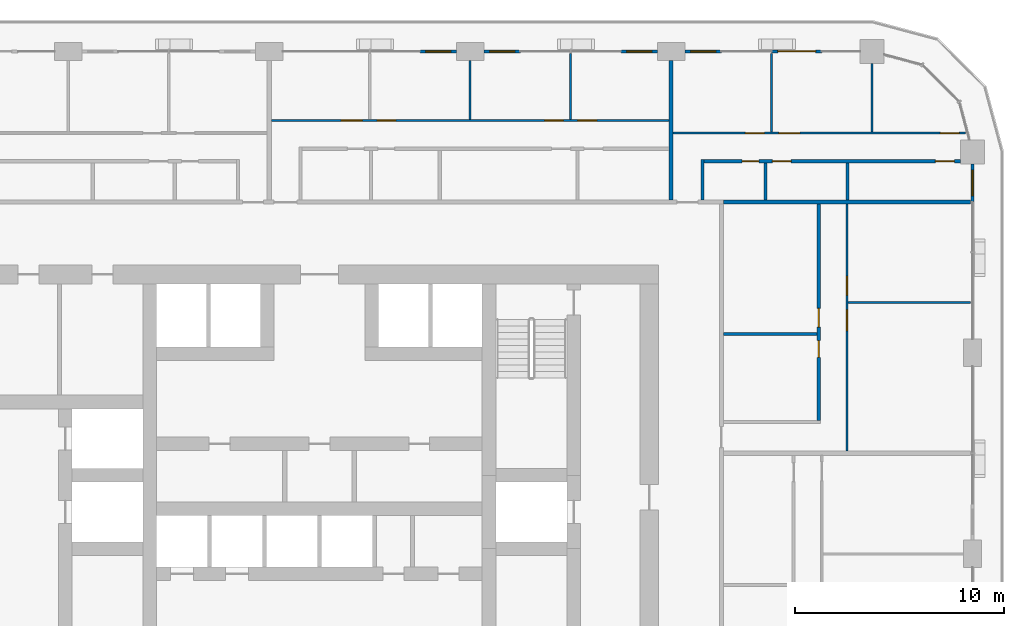
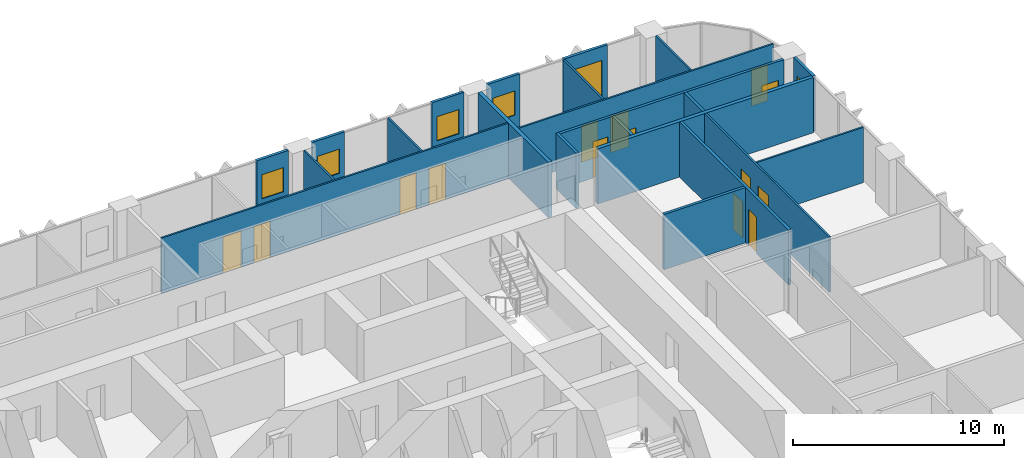
# One storey, part 15 of 22: 22 walls, 15 doors, 5 windows, 20 openings.
"""IFC4 building model written with IfcOpenShell, lengths in metres."""

from ifc_helpers import new_model, si_unit, direction, frame, frame_2d, origin, place, context, subcontext, project, spatial, rectangle, extrude, material, layer, layer_set, type_object, element, fill, save


model = new_model("IFC4")

# Units and contexts
model_context = context("Model", 3, precision=1e-05, world=origin(), true_north=direction((0.0, 1.0)))
body_context = subcontext(model_context, "Body", "Model", "MODEL_VIEW")
ifc_project = project(units=[si_unit("LENGTHUNIT", "METRE"), si_unit("AREAUNIT", "SQUARE_METRE"), si_unit("VOLUMEUNIT", "CUBIC_METRE"), si_unit("PLANEANGLEUNIT", "RADIAN"), si_unit("MASSUNIT", "GRAM", prefix="KILO")], contexts=[model_context])

# Site, building, storey
site_placement = place(None, origin())
site = spatial("IfcSite", under=ifc_project, at=site_placement, CompositionType="ELEMENT")
building_placement = place(site_placement, origin())
building = spatial("IfcBuilding", under=site, at=building_placement, Name="Madar Terraces", CompositionType="ELEMENT")
storey_placement = place(building_placement, frame((0.0, 0.0, 66.300048828125)))
storey = spatial("IfcBuildingStorey", under=building, at=storey_placement, Name="L16", CompositionType="ELEMENT", Elevation=66.300048828125)

# Wall, opening, window
ifc_material_1 = material(Name="Aluminium composite panel, black, over insulated backing", Category="aluminium")
ifc_layer_1 = layer(ifc_material_1, 0.14990234375)
ifc_layer_set_1 = layer_set([ifc_layer_1], Name="Facade bay panel 150")
wall_type_1 = type_object("IfcWallType", Name="Facade bay panel 150", PredefinedType="SOLIDWALL", material=ifc_layer_set_1)
wall_1_placement = place(storey_placement, frame((62.39990234375, 40.800048828125, 0.0), z_axis=(0.0, 0.0, 1.0), x_axis=(0.0, 1.0, 0.0)))
wall_1 = element("IfcWall", 1, at=wall_1_placement, inside=storey, type_object=wall_type_1, Name="Facade bay panel", PredefinedType="SOLIDWALL", context=body_context, shape_type="SweptSolid", body=[
    extrude(rectangle(XDim=1.824951171875, YDim=0.14990234375, at=frame_2d((0.91259765625, 0.0))), origin(), (0.0, 0.0, 1.0), 3.199951171875),
])
opening_1_placement = place(wall_1_placement, frame((0.3125, 0.0, 0.89990234375)))
opening_1 = element("IfcOpeningElement", 2, at=opening_1_placement, cuts=wall_1, Name="Opening W1", PredefinedType="OPENING", context=body_context, shape_type="SweptSolid", body=[
    extrude(rectangle(XDim=1.199951171875, YDim=1.39990234375, at=frame_2d((0.60009765625, 0.699951171875))), frame((0.0, 0.0849609375, 0.0), z_axis=(0.0, -1.0, 0.0), x_axis=(1.0, 0.0, 0.0)), (0.0, 0.0, 1.0), 0.169921875),
])
ifc_material_2 = material(Name="Glass, clear, with black aluminium frame", Category="aluminium")
window_type = type_object("IfcWindowType", Name="Vent window 1200 x 1400", PartitioningType="SINGLE_PANEL", PredefinedType="WINDOW", material=ifc_material_2)
window_1_placement = place(opening_1_placement, origin())
window_1 = element("IfcWindow", 3, at=window_1_placement, inside=storey, type_object=window_type, Name="Operable vent window", OverallHeight=1.39990234375, OverallWidth=1.199951171875, PartitioningType="SINGLE_PANEL", PredefinedType="WINDOW", context=body_context, shape_type="SweptSolid", body=[
    extrude(rectangle(XDim=1.199951171875, YDim=1.39990234375, at=frame_2d((0.60009765625, 0.699951171875))), frame((0.0, 0.030029296875, 0.0), z_axis=(0.0, -1.0, 0.0), x_axis=(1.0, 0.0, 0.0)), (0.0, 0.0, 1.0), 0.06005859375),
])
fill(opening_1, window_1)

# Wall, opening, door
wall_2_placement = place(storey_placement, frame((55.199951171875, 48.0, 0.0), z_axis=(0.0, 0.0, 1.0), x_axis=(-1.0, 0.0, 0.0)))
wall_2 = element("IfcWall", 4, at=wall_2_placement, inside=storey, type_object=wall_type_1, Name="Facade bay panel", PredefinedType="SOLIDWALL", context=body_context, shape_type="SweptSolid", body=[
    extrude(rectangle(XDim=2.39990234375, YDim=0.14990234375, at=frame_2d((1.199951171875, 0.0))), origin(), (0.0, 0.0, 1.0), 3.199951171875),
])
opening_2_placement = place(wall_2_placement, frame((0.300048828125, 0.0, 0.0)))
opening_2 = element("IfcOpeningElement", 5, at=opening_2_placement, cuts=wall_2, Name="Opening ED1", PredefinedType="OPENING", context=body_context, shape_type="SweptSolid", body=[
    extrude(rectangle(XDim=1.800048828125, YDim=2.39990234375, at=frame_2d((0.89990234375, 1.199951171875))), frame((0.0, 0.0849609375, 0.0), z_axis=(0.0, -1.0, 0.0), x_axis=(1.0, 0.0, 0.0)), (0.0, 0.0, 1.0), 0.169921875),
])
ifc_material_3 = material(Name="Glass, clear, with black aluminium frame", Category="aluminium")
door_type_1 = type_object("IfcDoorType", Name="Balcony and terrace sliding door 1800 x 2400", OperationType="SLIDING_TO_LEFT", PredefinedType="DOOR", material=ifc_material_3)
door_1_placement = place(opening_2_placement, origin())
door_1 = element("IfcDoor", 6, at=door_1_placement, inside=storey, type_object=door_type_1, Name="Balcony door", OperationType="SLIDING_TO_RIGHT", OverallHeight=2.39990234375, OverallWidth=1.800048828125, PredefinedType="DOOR", context=body_context, shape_type="SweptSolid", body=[
    extrude(rectangle(XDim=1.800048828125, YDim=2.39990234375, at=frame_2d((0.89990234375, 1.199951171875))), frame((0.0, 0.02490234375, 0.0), z_axis=(0.0, -1.0, 0.0), x_axis=(1.0, 0.0, 0.0)), (0.0, 0.0, 1.0), 0.050048828125),
])
fill(opening_2, door_1)

# Wall, opening, window
wall_3_placement = place(storey_placement, frame((50.39990234375, 48.0, 0.0), z_axis=(0.0, 0.0, 1.0), x_axis=(-1.0, 0.0, 0.0)))
wall_3 = element("IfcWall", 7, at=wall_3_placement, inside=storey, type_object=wall_type_1, Name="Facade bay panel", PredefinedType="SOLIDWALL", context=body_context, shape_type="SweptSolid", body=[
    extrude(rectangle(XDim=1.75, YDim=0.14990234375, at=frame_2d((0.875, 0.0))), origin(), (0.0, 0.0, 1.0), 3.199951171875),
])
opening_3_placement = place(wall_3_placement, frame((0.27490234375, 0.0, 0.89990234375)))
opening_3 = element("IfcOpeningElement", 8, at=opening_3_placement, cuts=wall_3, Name="Opening W1", PredefinedType="OPENING", context=body_context, shape_type="SweptSolid", body=[
    extrude(rectangle(XDim=1.199951171875, YDim=1.39990234375, at=frame_2d((0.60009765625, 0.699951171875))), frame((0.0, 0.0849609375, 0.0), z_axis=(0.0, -1.0, 0.0), x_axis=(1.0, 0.0, 0.0)), (0.0, 0.0, 1.0), 0.169921875),
])
window_2_placement = place(opening_3_placement, origin())
window_2 = element("IfcWindow", 9, at=window_2_placement, inside=storey, type_object=window_type, Name="Operable vent window", OverallHeight=1.39990234375, OverallWidth=1.199951171875, PartitioningType="SINGLE_PANEL", PredefinedType="WINDOW", context=body_context, shape_type="SweptSolid", body=[
    extrude(rectangle(XDim=1.199951171875, YDim=1.39990234375, at=frame_2d((0.60009765625, 0.699951171875))), frame((0.0, 0.030029296875, 0.0), z_axis=(0.0, -1.0, 0.0), x_axis=(1.0, 0.0, 0.0)), (0.0, 0.0, 1.0), 0.06005859375),
])
fill(opening_3, window_2)

wall_4_placement = place(storey_placement, frame((47.35009765625, 48.0, 0.0), z_axis=(0.0, 0.0, 1.0), x_axis=(-1.0, 0.0, 0.0)))
wall_4 = element("IfcWall", 10, at=wall_4_placement, inside=storey, type_object=wall_type_1, Name="Facade bay panel", PredefinedType="SOLIDWALL", context=body_context, shape_type="SweptSolid", body=[
    extrude(rectangle(XDim=1.75, YDim=0.14990234375, at=frame_2d((0.875, 0.0))), origin(), (0.0, 0.0, 1.0), 3.199951171875),
])
opening_4_placement = place(wall_4_placement, frame((0.27490234375, 0.0, 0.89990234375)))
opening_4 = element("IfcOpeningElement", 11, at=opening_4_placement, cuts=wall_4, Name="Opening W1", PredefinedType="OPENING", context=body_context, shape_type="SweptSolid", body=[
    extrude(rectangle(XDim=1.199951171875, YDim=1.39990234375, at=frame_2d((0.60009765625, 0.699951171875))), frame((0.0, 0.0849609375, 0.0), z_axis=(0.0, -1.0, 0.0), x_axis=(1.0, 0.0, 0.0)), (0.0, 0.0, 1.0), 0.169921875),
])
window_3_placement = place(opening_4_placement, origin())
window_3 = element("IfcWindow", 12, at=window_3_placement, inside=storey, type_object=window_type, Name="Operable vent window", OverallHeight=1.39990234375, OverallWidth=1.199951171875, PartitioningType="SINGLE_PANEL", PredefinedType="WINDOW", context=body_context, shape_type="SweptSolid", body=[
    extrude(rectangle(XDim=1.199951171875, YDim=1.39990234375, at=frame_2d((0.60009765625, 0.699951171875))), frame((0.0, 0.030029296875, 0.0), z_axis=(0.0, -1.0, 0.0), x_axis=(1.0, 0.0, 0.0)), (0.0, 0.0, 1.0), 0.06005859375),
])
fill(opening_4, window_3)

wall_5_placement = place(storey_placement, frame((40.800048828125, 48.0, 0.0), z_axis=(0.0, 0.0, 1.0), x_axis=(-1.0, 0.0, 0.0)))
wall_5 = element("IfcWall", 13, at=wall_5_placement, inside=storey, type_object=wall_type_1, Name="Facade bay panel", PredefinedType="SOLIDWALL", context=body_context, shape_type="SweptSolid", body=[
    extrude(rectangle(XDim=1.75, YDim=0.14990234375, at=frame_2d((0.875, 0.0))), origin(), (0.0, 0.0, 1.0), 3.199951171875),
])
opening_5_placement = place(wall_5_placement, frame((0.27490234375, 0.0, 0.89990234375)))
opening_5 = element("IfcOpeningElement", 14, at=opening_5_placement, cuts=wall_5, Name="Opening W1", PredefinedType="OPENING", context=body_context, shape_type="SweptSolid", body=[
    extrude(rectangle(XDim=1.199951171875, YDim=1.39990234375, at=frame_2d((0.60009765625, 0.699951171875))), frame((0.0, 0.0849609375, 0.0), z_axis=(0.0, -1.0, 0.0), x_axis=(1.0, 0.0, 0.0)), (0.0, 0.0, 1.0), 0.169921875),
])
window_4_placement = place(opening_5_placement, origin())
window_4 = element("IfcWindow", 15, at=window_4_placement, inside=storey, type_object=window_type, Name="Operable vent window", OverallHeight=1.39990234375, OverallWidth=1.199951171875, PartitioningType="SINGLE_PANEL", PredefinedType="WINDOW", context=body_context, shape_type="SweptSolid", body=[
    extrude(rectangle(XDim=1.199951171875, YDim=1.39990234375, at=frame_2d((0.60009765625, 0.699951171875))), frame((0.0, 0.030029296875, 0.0), z_axis=(0.0, -1.0, 0.0), x_axis=(1.0, 0.0, 0.0)), (0.0, 0.0, 1.0), 0.06005859375),
])
fill(opening_5, window_4)

wall_6_placement = place(storey_placement, frame((37.75, 48.0, 0.0), z_axis=(0.0, 0.0, 1.0), x_axis=(-1.0, 0.0, 0.0)))
wall_6 = element("IfcWall", 16, at=wall_6_placement, inside=storey, type_object=wall_type_1, Name="Facade bay panel", PredefinedType="SOLIDWALL", context=body_context, shape_type="SweptSolid", body=[
    extrude(rectangle(XDim=1.75, YDim=0.14990234375, at=frame_2d((0.875, 0.0))), origin(), (0.0, 0.0, 1.0), 3.199951171875),
])
opening_6_placement = place(wall_6_placement, frame((0.27490234375, 0.0, 0.89990234375)))
opening_6 = element("IfcOpeningElement", 17, at=opening_6_placement, cuts=wall_6, Name="Opening W1", PredefinedType="OPENING", context=body_context, shape_type="SweptSolid", body=[
    extrude(rectangle(XDim=1.199951171875, YDim=1.39990234375, at=frame_2d((0.60009765625, 0.699951171875))), frame((0.0, 0.0849609375, 0.0), z_axis=(0.0, -1.0, 0.0), x_axis=(1.0, 0.0, 0.0)), (0.0, 0.0, 1.0), 0.169921875),
])
window_5_placement = place(opening_6_placement, origin())
window_5 = element("IfcWindow", 18, at=window_5_placement, inside=storey, type_object=window_type, Name="Operable vent window", OverallHeight=1.39990234375, OverallWidth=1.199951171875, PartitioningType="SINGLE_PANEL", PredefinedType="WINDOW", context=body_context, shape_type="SweptSolid", body=[
    extrude(rectangle(XDim=1.199951171875, YDim=1.39990234375, at=frame_2d((0.60009765625, 0.699951171875))), frame((0.0, 0.030029296875, 0.0), z_axis=(0.0, -1.0, 0.0), x_axis=(1.0, 0.0, 0.0)), (0.0, 0.0, 1.0), 0.06005859375),
])
fill(opening_6, window_5)

# Wall
ifc_material_4 = material(Name="Gypsum board on steel studs", Category="steel")
ifc_layer_2 = layer(ifc_material_4, 0.10009765625)
ifc_layer_set_2 = layer_set([ifc_layer_2], Name="Flat partition 100")
wall_type_2 = type_object("IfcWallType", Name="Flat partition 100", PredefinedType="PARTITIONING", material=ifc_layer_set_2)
wall_7_placement = place(storey_placement, frame((56.449951171875, 36.0, 0.0), z_axis=(0.0, 0.0, 1.0), x_axis=(1.0, 0.0, 0.0)))
element("IfcWall", 19, at=wall_7_placement, inside=storey, type_object=wall_type_2, Name="Flat partition 100", PredefinedType="PARTITIONING", context=body_context, shape_type="SweptSolid", body=[
    extrude(rectangle(XDim=5.85009765625, YDim=0.10009765625, at=frame_2d((2.925048828125, 0.0))), origin(), (0.0, 0.0, 1.0), 3.199951171875),
])

# Wall, openings, doors
wall_8_placement = place(storey_placement, frame((56.39990234375, 40.699951171875, 0.0), z_axis=(0.0, 0.0, 1.0), x_axis=(0.0, -1.0, 0.0)))
wall_8 = element("IfcWall", 20, at=wall_8_placement, inside=storey, type_object=wall_type_2, Name="Flat partition 100", PredefinedType="PARTITIONING", context=body_context, shape_type="SweptSolid", body=[
    extrude(rectangle(XDim=11.800048828125, YDim=0.10009765625, at=frame_2d((5.89990234375, 0.0))), origin(), (0.0, 0.0, 1.0), 3.199951171875),
])
opening_7_placement = place(wall_8_placement, frame((5.050048828125, 0.0, 0.0)))
opening_7 = element("IfcOpeningElement", 21, at=opening_7_placement, cuts=wall_8, Name="Opening D3", PredefinedType="OPENING", context=body_context, shape_type="SweptSolid", body=[
    extrude(rectangle(XDim=1.0, YDim=2.10009765625, at=frame_2d((0.5, 1.050048828125))), frame((0.0, 0.06005859375, 0.0), z_axis=(0.0, -1.0, 0.0), x_axis=(1.0, 0.0, 0.0)), (0.0, 0.0, 1.0), 0.1201171875),
])
opening_8_placement = place(wall_8_placement, frame((3.449951171875, 0.0, 0.0)))
opening_8 = element("IfcOpeningElement", 22, at=opening_8_placement, cuts=wall_8, Name="Opening D2", PredefinedType="OPENING", context=body_context, shape_type="SweptSolid", body=[
    extrude(rectangle(XDim=0.89990234375, YDim=2.10009765625, at=frame_2d((0.449951171875, 1.050048828125))), frame((0.0, 0.06005859375, 0.0), z_axis=(0.0, -1.0, 0.0), x_axis=(1.0, 0.0, 0.0)), (0.0, 0.0, 1.0), 0.1201171875),
])
ifc_material_5 = material(Name="Timber door leaf", Category="wood")
door_type_2 = type_object("IfcDoorType", Name="Flat living room door 1000", OperationType="NOTDEFINED", PredefinedType="DOOR", material=ifc_material_5)
door_2_placement = place(opening_7_placement, origin())
door_2 = element("IfcDoor", 23, at=door_2_placement, inside=storey, type_object=door_type_2, Name="Flat living room door 1000", OperationType="SINGLE_SWING_LEFT", OverallHeight=2.10009765625, OverallWidth=1.0, PredefinedType="DOOR", context=body_context, shape_type="SweptSolid", body=[
    extrude(rectangle(XDim=1.0, YDim=2.10009765625, at=frame_2d((0.5, 1.050048828125))), frame((0.0, 0.02490234375, 0.0), z_axis=(0.0, -1.0, 0.0), x_axis=(1.0, 0.0, 0.0)), (0.0, 0.0, 1.0), 0.050048828125),
])
fill(opening_7, door_2)
ifc_material_6 = material(Name="Timber door leaf", Category="wood")
door_type_3 = type_object("IfcDoorType", Name="Flat room door 900", OperationType="NOTDEFINED", PredefinedType="DOOR", material=ifc_material_6)
door_3_placement = place(opening_8_placement, origin())
door_3 = element("IfcDoor", 24, at=door_3_placement, inside=storey, type_object=door_type_3, Name="Flat room door 900", OperationType="SINGLE_SWING_RIGHT", OverallHeight=2.10009765625, OverallWidth=0.89990234375, PredefinedType="DOOR", context=body_context, shape_type="SweptSolid", body=[
    extrude(rectangle(XDim=0.89990234375, YDim=2.10009765625, at=frame_2d((0.449951171875, 1.050048828125))), frame((0.0, 0.02490234375, 0.0), z_axis=(0.0, -1.0, 0.0), x_axis=(1.0, 0.0, 0.0)), (0.0, 0.0, 1.0), 0.050048828125),
])
fill(opening_8, door_3)

# Walls
wall_9_placement = place(storey_placement, frame((52.800048828125, 44.14990234375, 0.0), z_axis=(0.0, 0.0, 1.0), x_axis=(0.0, 1.0, 0.0)))
element("IfcWall", 25, at=wall_9_placement, inside=storey, type_object=wall_type_2, Name="Flat partition 100", PredefinedType="PARTITIONING", context=body_context, shape_type="SweptSolid", body=[
    extrude(rectangle(XDim=3.75, YDim=0.10009765625, at=frame_2d((1.875, 0.0))), origin(), (0.0, 0.0, 1.0), 3.199951171875),
])
wall_10_placement = place(storey_placement, frame((57.60009765625, 44.14990234375, 0.0), z_axis=(0.0, 0.0, 1.0), x_axis=(0.0, 1.0, 0.0)))
element("IfcWall", 26, at=wall_10_placement, inside=storey, type_object=wall_type_2, Name="Flat partition 100", PredefinedType="PARTITIONING", context=body_context, shape_type="SweptSolid", body=[
    extrude(rectangle(XDim=3.275146484375, YDim=0.10009765625, at=frame_2d((1.6376953125, 0.0))), origin(), (0.0, 0.0, 1.0), 3.199951171875),
])

# Wall, openings, doors
wall_11_placement = place(storey_placement, frame((48.10009765625, 44.10009765625, 0.0), z_axis=(0.0, 0.0, 1.0), x_axis=(1.0, 0.0, 0.0)))
wall_11 = element("IfcWall", 27, at=wall_11_placement, inside=storey, type_object=wall_type_2, Name="Flat partition 100", PredefinedType="PARTITIONING", context=body_context, shape_type="SweptSolid", body=[
    extrude(rectangle(XDim=13.958740234375, YDim=0.10009765625, at=frame_2d((6.9794921875, 0.0))), origin(), (0.0, 0.0, 1.0), 3.199951171875),
])
opening_9_placement = place(wall_11_placement, frame((3.449951171875, 0.0, 0.0)))
opening_9 = element("IfcOpeningElement", 28, at=opening_9_placement, cuts=wall_11, Name="Opening D2", PredefinedType="OPENING", context=body_context, shape_type="SweptSolid", body=[
    extrude(rectangle(XDim=0.89990234375, YDim=2.10009765625, at=frame_2d((0.449951171875, 1.050048828125))), frame((0.0, 0.06005859375, 0.0), z_axis=(0.0, -1.0, 0.0), x_axis=(1.0, 0.0, 0.0)), (0.0, 0.0, 1.0), 0.1201171875),
])
opening_10_placement = place(wall_11_placement, frame((5.050048828125, 0.0, 0.0)))
opening_10 = element("IfcOpeningElement", 29, at=opening_10_placement, cuts=wall_11, Name="Opening D3", PredefinedType="OPENING", context=body_context, shape_type="SweptSolid", body=[
    extrude(rectangle(XDim=1.0, YDim=2.10009765625, at=frame_2d((0.5, 1.050048828125))), frame((0.0, 0.06005859375, 0.0), z_axis=(0.0, -1.0, 0.0), x_axis=(1.0, 0.0, 0.0)), (0.0, 0.0, 1.0), 0.1201171875),
])
opening_11_placement = place(wall_11_placement, frame((12.7587890625, 0.0, 0.0)))
opening_11 = element("IfcOpeningElement", 30, at=opening_11_placement, cuts=wall_11, Name="Opening D2", PredefinedType="OPENING", context=body_context, shape_type="SweptSolid", body=[
    extrude(rectangle(XDim=0.89990234375, YDim=2.10009765625, at=frame_2d((0.449951171875, 1.050048828125))), frame((0.0, 0.06005859375, 0.0), z_axis=(0.0, -1.0, 0.0), x_axis=(1.0, 0.0, 0.0)), (0.0, 0.0, 1.0), 0.1201171875),
])
door_4_placement = place(opening_10_placement, origin())
door_4 = element("IfcDoor", 31, at=door_4_placement, inside=storey, type_object=door_type_2, Name="Flat living room door 1000", OperationType="SINGLE_SWING_LEFT", OverallHeight=2.10009765625, OverallWidth=1.0, PredefinedType="DOOR", context=body_context, shape_type="SweptSolid", body=[
    extrude(rectangle(XDim=1.0, YDim=2.10009765625, at=frame_2d((0.5, 1.050048828125))), frame((0.0, 0.02490234375, 0.0), z_axis=(0.0, -1.0, 0.0), x_axis=(1.0, 0.0, 0.0)), (0.0, 0.0, 1.0), 0.050048828125),
])
fill(opening_10, door_4)
door_5_placement = place(opening_9_placement, origin())
door_5 = element("IfcDoor", 32, at=door_5_placement, inside=storey, type_object=door_type_3, Name="Flat room door 900", OperationType="SINGLE_SWING_RIGHT", OverallHeight=2.10009765625, OverallWidth=0.89990234375, PredefinedType="DOOR", context=body_context, shape_type="SweptSolid", body=[
    extrude(rectangle(XDim=0.89990234375, YDim=2.10009765625, at=frame_2d((0.449951171875, 1.050048828125))), frame((0.0, 0.02490234375, 0.0), z_axis=(0.0, -1.0, 0.0), x_axis=(1.0, 0.0, 0.0)), (0.0, 0.0, 1.0), 0.050048828125),
])
fill(opening_9, door_5)
door_6_placement = place(opening_11_placement, origin())
door_6 = element("IfcDoor", 33, at=door_6_placement, inside=storey, type_object=door_type_3, Name="Flat room door 900", OperationType="SINGLE_SWING_RIGHT", OverallHeight=2.10009765625, OverallWidth=0.89990234375, PredefinedType="DOOR", context=body_context, shape_type="SweptSolid", body=[
    extrude(rectangle(XDim=0.89990234375, YDim=2.10009765625, at=frame_2d((0.449951171875, 1.050048828125))), frame((0.0, 0.02490234375, 0.0), z_axis=(0.0, -1.0, 0.0), x_axis=(1.0, 0.0, 0.0)), (0.0, 0.0, 1.0), 0.050048828125),
])
fill(opening_11, door_6)

# Walls
wall_12_placement = place(storey_placement, frame((38.39990234375, 44.75, 0.0), z_axis=(0.0, 0.0, 1.0), x_axis=(0.0, 1.0, 0.0)))
element("IfcWall", 34, at=wall_12_placement, inside=storey, type_object=wall_type_2, Name="Flat partition 100", PredefinedType="PARTITIONING", context=body_context, shape_type="SweptSolid", body=[
    extrude(rectangle(XDim=2.824951171875, YDim=0.10009765625, at=frame_2d((1.41259765625, 0.0))), origin(), (0.0, 0.0, 1.0), 3.199951171875),
])
wall_13_placement = place(storey_placement, frame((43.199951171875, 44.75, 0.0), z_axis=(0.0, 0.0, 1.0), x_axis=(0.0, 1.0, 0.0)))
element("IfcWall", 35, at=wall_13_placement, inside=storey, type_object=wall_type_2, Name="Flat partition 100", PredefinedType="PARTITIONING", context=body_context, shape_type="SweptSolid", body=[
    extrude(rectangle(XDim=3.14990234375, YDim=0.10009765625, at=frame_2d((1.574951171875, 0.0))), origin(), (0.0, 0.0, 1.0), 3.199951171875),
])

# Wall, openings, doors
wall_14_placement = place(storey_placement, frame((28.89990234375, 44.699951171875, 0.0), z_axis=(0.0, 0.0, 1.0), x_axis=(1.0, 0.0, 0.0)))
wall_14 = element("IfcWall", 36, at=wall_14_placement, inside=storey, type_object=wall_type_2, Name="Flat partition 100", PredefinedType="PARTITIONING", context=body_context, shape_type="SweptSolid", body=[
    extrude(rectangle(XDim=19.0, YDim=0.10009765625, at=frame_2d((9.5, 0.0))), origin(), (0.0, 0.0, 1.0), 3.199951171875),
])
opening_12_placement = place(wall_14_placement, frame((3.35009765625, 0.0, 0.0)))
opening_12 = element("IfcOpeningElement", 37, at=opening_12_placement, cuts=wall_14, Name="Opening D3", PredefinedType="OPENING", context=body_context, shape_type="SweptSolid", body=[
    extrude(rectangle(XDim=1.0, YDim=2.10009765625, at=frame_2d((0.5, 1.050048828125))), frame((0.0, 0.06005859375, 0.0), z_axis=(0.0, -1.0, 0.0), x_axis=(1.0, 0.0, 0.0)), (0.0, 0.0, 1.0), 0.1201171875),
])
opening_13_placement = place(wall_14_placement, frame((5.050048828125, 0.0, 0.0)))
opening_13 = element("IfcOpeningElement", 38, at=opening_13_placement, cuts=wall_14, Name="Opening D2", PredefinedType="OPENING", context=body_context, shape_type="SweptSolid", body=[
    extrude(rectangle(XDim=0.89990234375, YDim=2.10009765625, at=frame_2d((0.449951171875, 1.050048828125))), frame((0.0, 0.06005859375, 0.0), z_axis=(0.0, -1.0, 0.0), x_axis=(1.0, 0.0, 0.0)), (0.0, 0.0, 1.0), 0.1201171875),
])
opening_14_placement = place(wall_14_placement, frame((13.050048828125, 0.0, 0.0)))
opening_14 = element("IfcOpeningElement", 39, at=opening_14_placement, cuts=wall_14, Name="Opening D2", PredefinedType="OPENING", context=body_context, shape_type="SweptSolid", body=[
    extrude(rectangle(XDim=0.89990234375, YDim=2.10009765625, at=frame_2d((0.449951171875, 1.050048828125))), frame((0.0, 0.06005859375, 0.0), z_axis=(0.0, -1.0, 0.0), x_axis=(1.0, 0.0, 0.0)), (0.0, 0.0, 1.0), 0.1201171875),
])
opening_15_placement = place(wall_14_placement, frame((14.64990234375, 0.0, 0.0)))
opening_15 = element("IfcOpeningElement", 40, at=opening_15_placement, cuts=wall_14, Name="Opening D2", PredefinedType="OPENING", context=body_context, shape_type="SweptSolid", body=[
    extrude(rectangle(XDim=0.89990234375, YDim=2.10009765625, at=frame_2d((0.449951171875, 1.050048828125))), frame((0.0, 0.06005859375, 0.0), z_axis=(0.0, -1.0, 0.0), x_axis=(1.0, 0.0, 0.0)), (0.0, 0.0, 1.0), 0.1201171875),
])
door_7_placement = place(opening_12_placement, origin())
door_7 = element("IfcDoor", 41, at=door_7_placement, inside=storey, type_object=door_type_2, Name="Flat living room door 1000", OperationType="SINGLE_SWING_RIGHT", OverallHeight=2.10009765625, OverallWidth=1.0, PredefinedType="DOOR", context=body_context, shape_type="SweptSolid", body=[
    extrude(rectangle(XDim=1.0, YDim=2.10009765625, at=frame_2d((0.5, 1.050048828125))), frame((0.0, 0.02490234375, 0.0), z_axis=(0.0, -1.0, 0.0), x_axis=(1.0, 0.0, 0.0)), (0.0, 0.0, 1.0), 0.050048828125),
])
fill(opening_12, door_7)
door_8_placement = place(opening_13_placement, origin())
door_8 = element("IfcDoor", 42, at=door_8_placement, inside=storey, type_object=door_type_3, Name="Flat room door 900", OperationType="SINGLE_SWING_LEFT", OverallHeight=2.10009765625, OverallWidth=0.89990234375, PredefinedType="DOOR", context=body_context, shape_type="SweptSolid", body=[
    extrude(rectangle(XDim=0.89990234375, YDim=2.10009765625, at=frame_2d((0.449951171875, 1.050048828125))), frame((0.0, 0.02490234375, 0.0), z_axis=(0.0, -1.0, 0.0), x_axis=(1.0, 0.0, 0.0)), (0.0, 0.0, 1.0), 0.050048828125),
])
fill(opening_13, door_8)
door_9_placement = place(opening_14_placement, origin())
door_9 = element("IfcDoor", 43, at=door_9_placement, inside=storey, type_object=door_type_3, Name="Flat room door 900", OperationType="SINGLE_SWING_RIGHT", OverallHeight=2.10009765625, OverallWidth=0.89990234375, PredefinedType="DOOR", context=body_context, shape_type="SweptSolid", body=[
    extrude(rectangle(XDim=0.89990234375, YDim=2.10009765625, at=frame_2d((0.449951171875, 1.050048828125))), frame((0.0, 0.02490234375, 0.0), z_axis=(0.0, -1.0, 0.0), x_axis=(1.0, 0.0, 0.0)), (0.0, 0.0, 1.0), 0.050048828125),
])
fill(opening_14, door_9)
door_10_placement = place(opening_15_placement, origin())
door_10 = element("IfcDoor", 44, at=door_10_placement, inside=storey, type_object=door_type_3, Name="Flat room door 900", OperationType="SINGLE_SWING_LEFT", OverallHeight=2.10009765625, OverallWidth=0.89990234375, PredefinedType="DOOR", context=body_context, shape_type="SweptSolid", body=[
    extrude(rectangle(XDim=0.89990234375, YDim=2.10009765625, at=frame_2d((0.449951171875, 1.050048828125))), frame((0.0, 0.02490234375, 0.0), z_axis=(0.0, -1.0, 0.0), x_axis=(1.0, 0.0, 0.0)), (0.0, 0.0, 1.0), 0.050048828125),
])
fill(opening_15, door_10)

# Walls
ifc_material_7 = material(Name="Lightweight blockwork", Category="masonry")
ifc_layer_3 = layer(ifc_material_7, 0.199951171875)
ifc_layer_set_3 = layer_set([ifc_layer_3], Name="Flat party and entrance wall 200")
wall_type_3 = type_object("IfcWallType", Name="Flat party and entrance wall 200", PredefinedType="PARTITIONING", material=ifc_layer_set_3)
wall_15_placement = place(storey_placement, frame((50.5, 40.800048828125, 0.0), z_axis=(0.0, 0.0, 1.0), x_axis=(1.0, 0.0, 0.0)))
element("IfcWall", 45, at=wall_15_placement, inside=storey, type_object=wall_type_3, Name="Flat party and entrance wall 200", PredefinedType="PARTITIONING", context=body_context, shape_type="SweptSolid", body=[
    extrude(rectangle(XDim=11.800048828125, YDim=0.199951171875, at=frame_2d((5.89990234375, 0.0))), origin(), (0.0, 0.0, 1.0), 3.199951171875),
])
wall_16_placement = place(storey_placement, frame((48.0, 47.574951171875, 0.0), z_axis=(0.0, 0.0, 1.0), x_axis=(0.0, -1.0, 0.0)))
element("IfcWall", 46, at=wall_16_placement, inside=storey, type_object=wall_type_3, Name="Flat party and entrance wall 200", PredefinedType="PARTITIONING", context=body_context, shape_type="SweptSolid", body=[
    extrude(rectangle(XDim=6.675048828125, YDim=0.199951171875, at=frame_2d((3.33740234375, 0.0))), origin(), (0.0, 0.0, 1.0), 3.199951171875),
])
ifc_material_8 = material(Name="Lightweight blockwork", Category="masonry")
ifc_layer_4 = layer(ifc_material_8, 0.14990234375)
ifc_layer_set_4 = layer_set([ifc_layer_4], Name="Flat wet-room partition 150")
wall_type_4 = type_object("IfcWallType", Name="Flat wet-room partition 150", PredefinedType="PARTITIONING", material=ifc_layer_set_4)
wall_17_placement = place(storey_placement, frame((50.5, 34.5048828125, 0.0), z_axis=(0.0, 0.0, 1.0), x_axis=(1.0, 0.0, 0.0)))
element("IfcWall", 47, at=wall_17_placement, inside=storey, type_object=wall_type_4, Name="Flat wet-room partition 150", PredefinedType="PARTITIONING", context=body_context, shape_type="SweptSolid", body=[
    extrude(rectangle(XDim=4.47509765625, YDim=0.14990234375, at=frame_2d((2.237548828125, 0.0))), origin(), (0.0, 0.0, 1.0), 3.199951171875),
])

# Wall, openings, doors
wall_18_placement = place(storey_placement, frame((55.050048828125, 30.375, 0.0), z_axis=(0.0, 0.0, 1.0), x_axis=(0.0, 1.0, 0.0)))
wall_18 = element("IfcWall", 48, at=wall_18_placement, inside=storey, type_object=wall_type_4, Name="Flat wet-room partition 150", PredefinedType="PARTITIONING", context=body_context, shape_type="SweptSolid", body=[
    extrude(rectangle(XDim=10.324951171875, YDim=0.14990234375, at=frame_2d((5.16259765625, 0.0))), origin(), (0.0, 0.0, 1.0), 3.199951171875),
])
opening_16_placement = place(wall_18_placement, frame((3.0048828125, 0.0, 0.0)))
opening_16 = element("IfcOpeningElement", 49, at=opening_16_placement, cuts=wall_18, Name="Opening D4", PredefinedType="OPENING", context=body_context, shape_type="SweptSolid", body=[
    extrude(rectangle(XDim=0.800048828125, YDim=2.10009765625, at=frame_2d((0.39990234375, 1.050048828125))), frame((0.0, 0.0849609375, 0.0), z_axis=(0.0, -1.0, 0.0), x_axis=(1.0, 0.0, 0.0)), (0.0, 0.0, 1.0), 0.169921875),
])
opening_17_placement = place(wall_18_placement, frame((4.455078125, 0.0, 0.0)))
opening_17 = element("IfcOpeningElement", 50, at=opening_17_placement, cuts=wall_18, Name="Opening D2", PredefinedType="OPENING", context=body_context, shape_type="SweptSolid", body=[
    extrude(rectangle(XDim=0.89990234375, YDim=2.10009765625, at=frame_2d((0.449951171875, 1.050048828125))), frame((0.0, 0.0849609375, 0.0), z_axis=(0.0, -1.0, 0.0), x_axis=(1.0, 0.0, 0.0)), (0.0, 0.0, 1.0), 0.169921875),
])
ifc_material_9 = material(Name="Timber door leaf", Category="wood")
door_type_4 = type_object("IfcDoorType", Name="Flat bathroom door 800", OperationType="NOTDEFINED", PredefinedType="DOOR", material=ifc_material_9)
door_11_placement = place(opening_16_placement, origin())
door_11 = element("IfcDoor", 51, at=door_11_placement, inside=storey, type_object=door_type_4, Name="Flat bathroom door 800", OperationType="SINGLE_SWING_RIGHT", OverallHeight=2.10009765625, OverallWidth=0.800048828125, PredefinedType="DOOR", context=body_context, shape_type="SweptSolid", body=[
    extrude(rectangle(XDim=0.800048828125, YDim=2.10009765625, at=frame_2d((0.39990234375, 1.050048828125))), frame((0.0, 0.02490234375, 0.0), z_axis=(0.0, -1.0, 0.0), x_axis=(1.0, 0.0, 0.0)), (0.0, 0.0, 1.0), 0.050048828125),
])
fill(opening_16, door_11)
door_12_placement = place(opening_17_placement, origin())
door_12 = element("IfcDoor", 52, at=door_12_placement, inside=storey, type_object=door_type_3, Name="Flat room door 900", OperationType="SINGLE_SWING_LEFT", OverallHeight=2.10009765625, OverallWidth=0.89990234375, PredefinedType="DOOR", context=body_context, shape_type="SweptSolid", body=[
    extrude(rectangle(XDim=0.89990234375, YDim=2.10009765625, at=frame_2d((0.449951171875, 1.050048828125))), frame((0.0, 0.02490234375, 0.0), z_axis=(0.0, -1.0, 0.0), x_axis=(1.0, 0.0, 0.0)), (0.0, 0.0, 1.0), 0.050048828125),
])
fill(opening_17, door_12)

# Walls
for number, where, z_axis, x_axis, name in (
    (53, (52.511474609375, 40.89990234375, 0.0), (0.0, 0.0, 1.0), (0.0, 1.0, 0.0), "Flat wet-room partition 150"),
    (54, (56.427001953125, 40.89990234375, 0.0), (0.0, 0.0, 1.0), (0.0, 1.0, 0.0), "Flat wet-room partition 150"),
):
    element("IfcWall", number, at=place(storey_placement, frame(where, z_axis=z_axis, x_axis=x_axis)), inside=storey, type_object=wall_type_4, Name=name, PredefinedType="PARTITIONING", context=body_context, shape_type="SweptSolid", body=[
        extrude(rectangle(XDim=1.775146484375, YDim=0.14990234375, at=frame_2d((0.8876953125, 0.0))), origin(), (0.0, 0.0, 1.0), 3.199951171875),
    ])
wall_19_placement = place(storey_placement, frame((49.5, 40.89990234375, 0.0), z_axis=(0.0, 0.0, 1.0), x_axis=(0.0, 1.0, 0.0)))
element("IfcWall", 55, at=wall_19_placement, inside=storey, type_object=wall_type_4, Name="Flat wet-room partition 150", PredefinedType="PARTITIONING", context=body_context, shape_type="SweptSolid", body=[
    extrude(rectangle(XDim=1.925048828125, YDim=0.14990234375, at=frame_2d((0.96240234375, 0.0))), origin(), (0.0, 0.0, 1.0), 3.199951171875),
])

# Wall, openings, doors
wall_20_placement = place(storey_placement, frame((61.824951171875, 42.75, 0.0), z_axis=(0.0, 0.0, 1.0), x_axis=(-1.0, 0.0, 0.0)))
wall_20 = element("IfcWall", 56, at=wall_20_placement, inside=storey, type_object=wall_type_4, Name="Flat wet-room partition 150", PredefinedType="PARTITIONING", context=body_context, shape_type="SweptSolid", body=[
    extrude(rectangle(XDim=12.25, YDim=0.14990234375, at=frame_2d((6.125, 0.0))), origin(), (0.0, 0.0, 1.0), 3.199951171875),
])
opening_18_placement = place(wall_20_placement, frame((9.638427734375, 0.0, 0.0)))
opening_18 = element("IfcOpeningElement", 57, at=opening_18_placement, cuts=wall_20, Name="Opening D4", PredefinedType="OPENING", context=body_context, shape_type="SweptSolid", body=[
    extrude(rectangle(XDim=0.800048828125, YDim=2.10009765625, at=frame_2d((0.39990234375, 1.050048828125))), frame((0.0, 0.0849609375, 0.0), z_axis=(0.0, -1.0, 0.0), x_axis=(1.0, 0.0, 0.0)), (0.0, 0.0, 1.0), 0.169921875),
])
opening_19_placement = place(wall_20_placement, frame((8.08837890625, 0.0, 0.0)))
opening_19 = element("IfcOpeningElement", 58, at=opening_19_placement, cuts=wall_20, Name="Opening D5", PredefinedType="OPENING", context=body_context, shape_type="SweptSolid", body=[
    extrude(rectangle(XDim=0.89990234375, YDim=2.10009765625, at=frame_2d((0.449951171875, 1.050048828125))), frame((0.0, 0.0849609375, 0.0), z_axis=(0.0, -1.0, 0.0), x_axis=(1.0, 0.0, 0.0)), (0.0, 0.0, 1.0), 0.169921875),
])
opening_20_placement = place(wall_20_placement, frame((0.300048828125, 0.0, 0.0)))
opening_20 = element("IfcOpeningElement", 59, at=opening_20_placement, cuts=wall_20, Name="Opening D2", PredefinedType="OPENING", context=body_context, shape_type="SweptSolid", body=[
    extrude(rectangle(XDim=0.89990234375, YDim=2.10009765625, at=frame_2d((0.449951171875, 1.050048828125))), frame((0.0, 0.0849609375, 0.0), z_axis=(0.0, -1.0, 0.0), x_axis=(1.0, 0.0, 0.0)), (0.0, 0.0, 1.0), 0.169921875),
])
ifc_material_10 = material(Name="Timber door leaf", Category="wood")
door_type_5 = type_object("IfcDoorType", Name="Flat accessible bathroom door 900", OperationType="NOTDEFINED", PredefinedType="DOOR", material=ifc_material_10)
door_13_placement = place(opening_19_placement, origin())
door_13 = element("IfcDoor", 60, at=door_13_placement, inside=storey, type_object=door_type_5, Name="Flat accessible bathroom door 900", OperationType="SINGLE_SWING_RIGHT", OverallHeight=2.10009765625, OverallWidth=0.89990234375, PredefinedType="DOOR", context=body_context, shape_type="SweptSolid", body=[
    extrude(rectangle(XDim=0.89990234375, YDim=2.10009765625, at=frame_2d((0.449951171875, 1.050048828125))), frame((0.0, 0.02490234375, 0.0), z_axis=(0.0, -1.0, 0.0), x_axis=(1.0, 0.0, 0.0)), (0.0, 0.0, 1.0), 0.050048828125),
])
fill(opening_19, door_13)
door_14_placement = place(opening_18_placement, origin())
door_14 = element("IfcDoor", 61, at=door_14_placement, inside=storey, type_object=door_type_4, Name="Flat bathroom door 800", OperationType="SINGLE_SWING_LEFT", OverallHeight=2.10009765625, OverallWidth=0.800048828125, PredefinedType="DOOR", context=body_context, shape_type="SweptSolid", body=[
    extrude(rectangle(XDim=0.800048828125, YDim=2.10009765625, at=frame_2d((0.39990234375, 1.050048828125))), frame((0.0, 0.02490234375, 0.0), z_axis=(0.0, -1.0, 0.0), x_axis=(1.0, 0.0, 0.0)), (0.0, 0.0, 1.0), 0.050048828125),
])
fill(opening_18, door_14)
door_15_placement = place(opening_20_placement, origin())
door_15 = element("IfcDoor", 62, at=door_15_placement, inside=storey, type_object=door_type_3, Name="Flat room door 900", OperationType="SINGLE_SWING_LEFT", OverallHeight=2.10009765625, OverallWidth=0.89990234375, PredefinedType="DOOR", context=body_context, shape_type="SweptSolid", body=[
    extrude(rectangle(XDim=0.89990234375, YDim=2.10009765625, at=frame_2d((0.449951171875, 1.050048828125))), frame((0.0, 0.02490234375, 0.0), z_axis=(0.0, -1.0, 0.0), x_axis=(1.0, 0.0, 0.0)), (0.0, 0.0, 1.0), 0.050048828125),
])
fill(opening_20, door_15)

save(model, "model.ifc")
